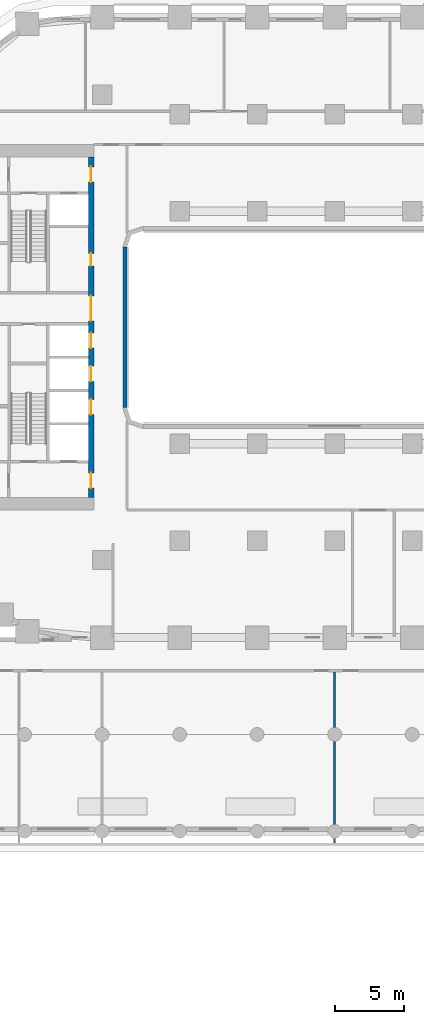
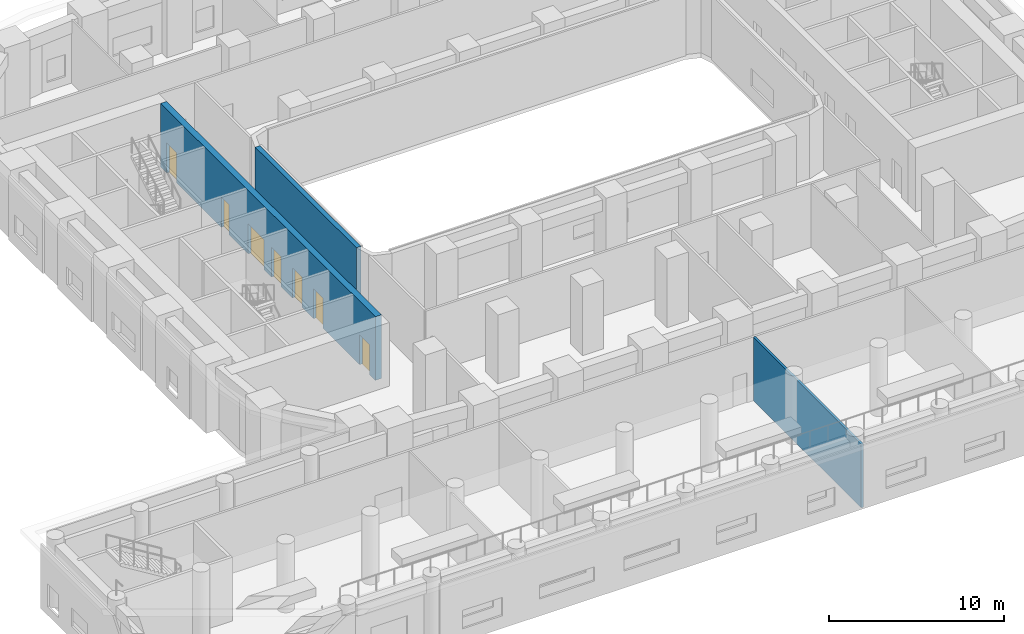
# One storey, part 21 of 35: 7 doors, 3 walls, 7 openings.
"""IFC4 building model written with IfcOpenShell, lengths in metres."""

from ifc_helpers import new_model, si_unit, direction, frame, frame_2d, origin, place, context, subcontext, project, spatial, rectangle, extrude, material, layer, layer_set, type_object, element, fill, save


model = new_model("IFC4")

# Units and contexts
model_context = context("Model", 3, precision=1e-05, world=origin(), true_north=direction((0.0, 1.0)))
body_context = subcontext(model_context, "Body", "Model", "MODEL_VIEW")
ifc_project = project(units=[si_unit("LENGTHUNIT", "METRE"), si_unit("AREAUNIT", "SQUARE_METRE"), si_unit("VOLUMEUNIT", "CUBIC_METRE"), si_unit("PLANEANGLEUNIT", "RADIAN"), si_unit("MASSUNIT", "GRAM", prefix="KILO")], contexts=[model_context])

# Site, building, storey
site_placement = place(None, origin())
site = spatial("IfcSite", under=ifc_project, at=site_placement, CompositionType="ELEMENT")
building_placement = place(site_placement, origin())
building = spatial("IfcBuilding", under=site, at=building_placement, Name="Kiln Ring Residences", CompositionType="ELEMENT")
storey_placement = place(building_placement, frame((0.0, 0.0, 20.89990234375)))
storey = spatial("IfcBuildingStorey", under=building, at=storey_placement, Name="L04", CompositionType="ELEMENT", Elevation=20.89990234375)

# Wall, openings, doors
ifc_material_1 = material(Name="Concrete C60/75", Category="concrete")
ifc_layer_1 = layer(ifc_material_1, 0.39990234375)
ifc_layer_set_1 = layer_set([ifc_layer_1], Name="CORE-WALL-RC400")
wall_type_1 = type_object("IfcWallType", Name="CORE-WALL-RC400", PredefinedType="SHEAR", material=ifc_layer_set_1)
wall_1_placement = place(storey_placement, frame((-17.60009765625, -12.300048828125, 0.0), z_axis=(0.0, 0.0, 1.0), x_axis=(0.0, 1.0, 0.0)))
wall_1 = element("IfcWall", 1, at=wall_1_placement, inside=storey, type_object=wall_type_1, Name="Core wall west L04 6", PredefinedType="SHEAR", context=body_context, shape_type="SweptSolid", body=[
    extrude(rectangle(XDim=24.60009765625, YDim=0.39990234375, at=frame_2d((12.300048828125, 0.0))), origin(), (0.0, 0.0, 1.0), 4.4501953125),
])
opening_1_placement = place(wall_1_placement, frame((6.0, 0.0, 0.0)))
opening_1 = element("IfcOpeningElement", 2, at=opening_1_placement, cuts=wall_1, Name="Opening L04-CW02", PredefinedType="OPENING", context=body_context, shape_type="SweptSolid", body=[
    extrude(rectangle(XDim=1.10009765625, YDim=2.10009765625, at=frame_2d((0.550048828125, 1.050048828125))), frame((0.0, 0.2099609375, 0.0), z_axis=(0.0, -1.0, 0.0), x_axis=(1.0, 0.0, 0.0)), (0.0, 0.0, 1.0), 0.419921875),
])
opening_2_placement = place(wall_1_placement, frame((8.39990234375, 0.0, 0.0)))
opening_2 = element("IfcOpeningElement", 3, at=opening_2_placement, cuts=wall_1, Name="Opening L04-CW03", PredefinedType="OPENING", context=body_context, shape_type="SweptSolid", body=[
    extrude(rectangle(XDim=1.10009765625, YDim=2.10009765625, at=frame_2d((0.550048828125, 1.050048828125))), frame((0.0, 0.2099609375, 0.0), z_axis=(0.0, -1.0, 0.0), x_axis=(1.0, 0.0, 0.0)), (0.0, 0.0, 1.0), 0.419921875),
])
opening_3_placement = place(wall_1_placement, frame((10.800048828125, 0.0, 0.0)))
opening_3 = element("IfcOpeningElement", 4, at=opening_3_placement, cuts=wall_1, Name="Opening L04-CW04", PredefinedType="OPENING", context=body_context, shape_type="SweptSolid", body=[
    extrude(rectangle(XDim=1.10009765625, YDim=2.10009765625, at=frame_2d((0.550048828125, 1.050048828125))), frame((0.0, 0.2099609375, 0.0), z_axis=(0.0, -1.0, 0.0), x_axis=(1.0, 0.0, 0.0)), (0.0, 0.0, 1.0), 0.419921875),
])
opening_4_placement = place(wall_1_placement, frame((16.75, 0.0, 0.0)))
opening_4 = element("IfcOpeningElement", 5, at=opening_4_placement, cuts=wall_1, Name="Opening L04-CW05", PredefinedType="OPENING", context=body_context, shape_type="SweptSolid", body=[
    extrude(rectangle(XDim=0.89990234375, YDim=2.10009765625, at=frame_2d((0.449951171875, 1.050048828125))), frame((0.0, 0.2099609375, 0.0), z_axis=(0.0, -1.0, 0.0), x_axis=(1.0, 0.0, 0.0)), (0.0, 0.0, 1.0), 0.419921875),
])
opening_5_placement = place(wall_1_placement, frame((22.800048828125, 0.0, 0.0)))
opening_5 = element("IfcOpeningElement", 6, at=opening_5_placement, cuts=wall_1, Name="Opening L04-CW07", PredefinedType="OPENING", context=body_context, shape_type="SweptSolid", body=[
    extrude(rectangle(XDim=1.10009765625, YDim=2.10009765625, at=frame_2d((0.550048828125, 1.050048828125))), frame((0.0, 0.2099609375, 0.0), z_axis=(0.0, -1.0, 0.0), x_axis=(1.0, 0.0, 0.0)), (0.0, 0.0, 1.0), 0.419921875),
])
opening_6_placement = place(wall_1_placement, frame((0.699951171875, 0.0, 0.0)))
opening_6 = element("IfcOpeningElement", 7, at=opening_6_placement, cuts=wall_1, Name="Opening L04-CW08", PredefinedType="OPENING", context=body_context, shape_type="SweptSolid", body=[
    extrude(rectangle(XDim=1.10009765625, YDim=2.10009765625, at=frame_2d((0.550048828125, 1.050048828125))), frame((0.0, 0.2099609375, 0.0), z_axis=(0.0, -1.0, 0.0), x_axis=(1.0, 0.0, 0.0)), (0.0, 0.0, 1.0), 0.419921875),
])
opening_7_placement = place(wall_1_placement, frame((12.77490234375, 0.0, 0.0)))
opening_7 = element("IfcOpeningElement", 8, at=opening_7_placement, cuts=wall_1, Name="Opening L04-CW13", PredefinedType="OPENING", context=body_context, shape_type="SweptSolid", body=[
    extrude(rectangle(XDim=1.800048828125, YDim=2.10009765625, at=frame_2d((0.89990234375, 1.050048828125))), frame((0.0, 0.2099609375, 0.0), z_axis=(0.0, -1.0, 0.0), x_axis=(1.0, 0.0, 0.0)), (0.0, 0.0, 1.0), 0.419921875),
])
ifc_material_2 = material(Name="Steel door leaf", Category="steel")
door_type_1 = type_object("IfcDoorType", Name="CORE-DOOR-LD", OperationType="DOUBLE_DOOR_SLIDING", PredefinedType="DOOR", material=ifc_material_2)
door_1_placement = place(opening_1_placement, origin())
door_1 = element("IfcDoor", 9, at=door_1_placement, inside=storey, type_object=door_type_1, Name="LD W-L1 L04-CW02", OperationType="DOUBLE_DOOR_SLIDING", OverallHeight=2.10009765625, OverallWidth=1.10009765625, PredefinedType="DOOR", context=body_context, shape_type="SweptSolid", body=[
    extrude(rectangle(XDim=1.10009765625, YDim=2.10009765625, at=frame_2d((0.550048828125, 1.050048828125))), frame((0.0, 0.02490234375, 0.0), z_axis=(0.0, -1.0, 0.0), x_axis=(1.0, 0.0, 0.0)), (0.0, 0.0, 1.0), 0.050048828125),
])
fill(opening_1, door_1)
door_2_placement = place(opening_2_placement, origin())
door_2 = element("IfcDoor", 10, at=door_2_placement, inside=storey, type_object=door_type_1, Name="LD W-L2 L04-CW03", OperationType="DOUBLE_DOOR_SLIDING", OverallHeight=2.10009765625, OverallWidth=1.10009765625, PredefinedType="DOOR", context=body_context, shape_type="SweptSolid", body=[
    extrude(rectangle(XDim=1.10009765625, YDim=2.10009765625, at=frame_2d((0.550048828125, 1.050048828125))), frame((0.0, 0.02490234375, 0.0), z_axis=(0.0, -1.0, 0.0), x_axis=(1.0, 0.0, 0.0)), (0.0, 0.0, 1.0), 0.050048828125),
])
fill(opening_2, door_2)
door_3_placement = place(opening_3_placement, origin())
door_3 = element("IfcDoor", 11, at=door_3_placement, inside=storey, type_object=door_type_1, Name="LD W-L3 L04-CW04", OperationType="DOUBLE_DOOR_SLIDING", OverallHeight=2.10009765625, OverallWidth=1.10009765625, PredefinedType="DOOR", context=body_context, shape_type="SweptSolid", body=[
    extrude(rectangle(XDim=1.10009765625, YDim=2.10009765625, at=frame_2d((0.550048828125, 1.050048828125))), frame((0.0, 0.02490234375, 0.0), z_axis=(0.0, -1.0, 0.0), x_axis=(1.0, 0.0, 0.0)), (0.0, 0.0, 1.0), 0.050048828125),
])
fill(opening_3, door_3)
ifc_material_3 = material(Name="Steel door leaf", Category="steel")
door_type_2 = type_object("IfcDoorType", Name="CORE-DOOR-LOBBY", OperationType="SINGLE_SWING_LEFT", PredefinedType="DOOR", material=ifc_material_3)
door_4_placement = place(opening_5_placement, origin())
door_4 = element("IfcDoor", 12, at=door_4_placement, inside=storey, type_object=door_type_2, Name="FFL L04-CW07", OperationType="SINGLE_SWING_RIGHT", OverallHeight=2.10009765625, OverallWidth=1.10009765625, PredefinedType="DOOR", context=body_context, shape_type="SweptSolid", body=[
    extrude(rectangle(XDim=1.10009765625, YDim=2.10009765625, at=frame_2d((0.550048828125, 1.050048828125))), frame((0.0, 0.02490234375, 0.0), z_axis=(0.0, -1.0, 0.0), x_axis=(1.0, 0.0, 0.0)), (0.0, 0.0, 1.0), 0.050048828125),
])
fill(opening_5, door_4)
door_5_placement = place(opening_6_placement, origin())
door_5 = element("IfcDoor", 13, at=door_5_placement, inside=storey, type_object=door_type_2, Name="SVL L04-CW08", OperationType="SINGLE_SWING_LEFT", OverallHeight=2.10009765625, OverallWidth=1.10009765625, PredefinedType="DOOR", context=body_context, shape_type="SweptSolid", body=[
    extrude(rectangle(XDim=1.10009765625, YDim=2.10009765625, at=frame_2d((0.550048828125, 1.050048828125))), frame((0.0, 0.02490234375, 0.0), z_axis=(0.0, -1.0, 0.0), x_axis=(1.0, 0.0, 0.0)), (0.0, 0.0, 1.0), 0.050048828125),
])
fill(opening_6, door_5)
ifc_material_4 = material(Name="Steel door leaf", Category="steel")
door_type_3 = type_object("IfcDoorType", Name="CORE-DOOR-PASS", OperationType="DOUBLE_DOOR_SINGLE_SWING", PredefinedType="DOOR", material=ifc_material_4)
door_6_placement = place(opening_7_placement, origin())
door_6 = element("IfcDoor", 14, at=door_6_placement, inside=storey, type_object=door_type_3, Name="Core passage L04-CW13", OperationType="DOUBLE_DOOR_SINGLE_SWING", OverallHeight=2.10009765625, OverallWidth=1.800048828125, PredefinedType="DOOR", context=body_context, shape_type="SweptSolid", body=[
    extrude(rectangle(XDim=1.800048828125, YDim=2.10009765625, at=frame_2d((0.89990234375, 1.050048828125))), frame((0.0, 0.02490234375, 0.0), z_axis=(0.0, -1.0, 0.0), x_axis=(1.0, 0.0, 0.0)), (0.0, 0.0, 1.0), 0.050048828125),
])
fill(opening_7, door_6)
ifc_material_5 = material(Name="Steel door leaf", Category="steel")
door_type_4 = type_object("IfcDoorType", Name="CORE-DOOR-ROOM", OperationType="SINGLE_SWING_LEFT", PredefinedType="DOOR", material=ifc_material_5)
door_7_placement = place(opening_4_placement, origin())
door_7 = element("IfcDoor", 15, at=door_7_placement, inside=storey, type_object=door_type_4, Name="Locker store L04-CW05", OperationType="SINGLE_SWING_LEFT", OverallHeight=2.10009765625, OverallWidth=0.89990234375, PredefinedType="DOOR", context=body_context, shape_type="SweptSolid", body=[
    extrude(rectangle(XDim=0.89990234375, YDim=2.10009765625, at=frame_2d((0.449951171875, 1.050048828125))), frame((0.0, 0.02490234375, 0.0), z_axis=(0.0, -1.0, 0.0), x_axis=(1.0, 0.0, 0.0)), (0.0, 0.0, 1.0), 0.050048828125),
])
fill(opening_4, door_7)

# Walls
ifc_material_6 = material(Name="Brick masonry, dark clay brick", Category="masonry")
ifc_layer_2 = layer(ifc_material_6, 0.300048828125)
ifc_layer_set_2 = layer_set([ifc_layer_2], Name="EW-300 BRICK WALL")
wall_type_2 = type_object("IfcWallType", Name="EW-300 BRICK WALL", PredefinedType="SOLIDWALL", material=ifc_layer_set_2)
wall_2_placement = place(storey_placement, frame((-15.14990234375, -5.800048828125, 0.0), z_axis=(0.0, 0.0, 1.0), x_axis=(0.0, 1.0, 0.0)))
element("IfcWall", 16, at=wall_2_placement, inside=storey, type_object=wall_type_2, Name="Facade wall L04 71", PredefinedType="SOLIDWALL", context=body_context, shape_type="SweptSolid", body=[
    extrude(rectangle(XDim=11.60009765625, YDim=0.300048828125, at=frame_2d((5.800048828125, 0.0))), origin(), (0.0, 0.0, 1.0), 4.4501953125),
])
ifc_material_7 = material(Name="Brick masonry partition", Category="masonry")
ifc_layer_3 = layer(ifc_material_7, 0.14990234375)
ifc_layer_set_3 = layer_set([ifc_layer_3], Name="PARTITION-150-ei60")
wall_type_3 = type_object("IfcWallType", Name="PARTITION-150-ei60", PredefinedType="PARTITIONING", material=ifc_layer_set_3)
wall_3_placement = place(storey_placement, frame((0.0, -37.22998046875, 0.0), z_axis=(0.0, 0.0, 1.0), x_axis=(0.0, 1.0, 0.0)))
element("IfcWall", 17, at=wall_3_placement, inside=storey, type_object=wall_type_3, Name="Partition 017", PredefinedType="PARTITIONING", context=body_context, shape_type="SweptSolid", body=[
    extrude(rectangle(XDim=12.35498046875, YDim=0.14990234375, at=frame_2d((6.177490234375, 0.0))), origin(), (0.0, 0.0, 1.0), 4.4501953125),
])

save(model, "model.ifc")
